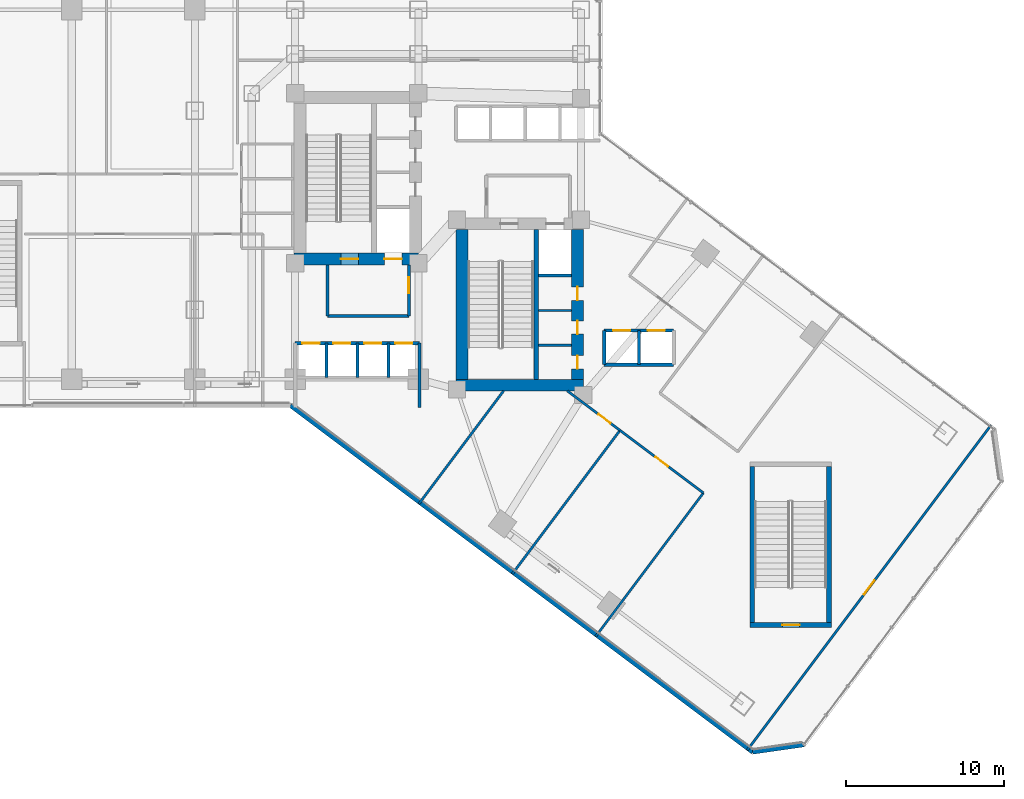
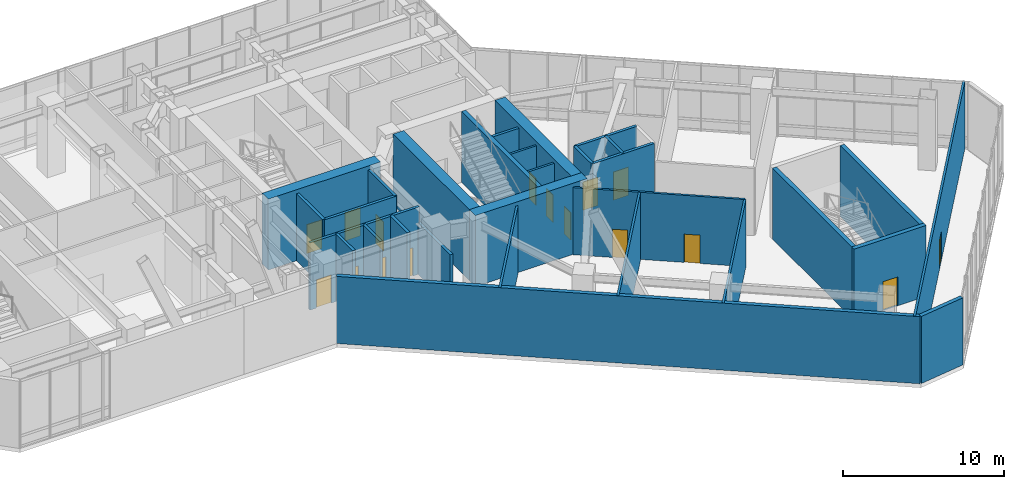
# One storey, part 27 of 35: 31 walls, 16 doors, 16 openings.
"""IFC4 building model written with IfcOpenShell, lengths in metres."""

import ifcopenshell
import ifcopenshell.guid

model = None  # the IFC model being written
_history = None  # IfcOwnerHistory: only IFC2X3 demands one
_inside = {}  # id of a spatial element -> (the spatial element, [elements in it])
_under = {}  # id of a project, library or spatial element -> (it, [spatial elements below it])
_declared = {}  # id of a project -> (the project, [libraries it declares])
_typed = {}  # id of a type object -> (the type object, [elements of that type])
_made_of = {}  # id of a material, layer set ... -> (it, [elements and type objects made of it])


def new_model(schema):
    """Start an empty IFC model of exactly this schema.

    Asked for "IFC4X3", IfcOpenShell would pick the latest addendum, in which some entities
    have other attributes; the version numbers below select the first issue.
    IFC2X3 requires an IfcOwnerHistory on every rooted entity: one is made here for all.
    """
    global model, _history
    if schema == "IFC4X3":
        model = ifcopenshell.file(schema_version=(4, 3, 0, 0))
    else:
        model = ifcopenshell.file(schema=schema)
    _inside.clear()
    _under.clear()
    _declared.clear()
    _typed.clear()
    _made_of.clear()
    _history = None
    if model.schema == "IFC2X3":
        org = make("IfcOrganization", Name="unknown")
        user = make(
            "IfcPersonAndOrganization",
            ThePerson=make("IfcPerson", FamilyName="unknown"),
            TheOrganization=org,
        )
        app = make(
            "IfcApplication",
            ApplicationDeveloper=org,
            Version="unknown",
            ApplicationFullName="unknown",
            ApplicationIdentifier="unknown",
        )
        _history = make(
            "IfcOwnerHistory",
            OwningUser=user,
            OwningApplication=app,
            ChangeAction="ADDED",
            CreationDate=0,
        )
    return model


def make(cls, **values):
    """One entity of the class cls with the attributes given. An attribute that is None is left unset."""
    return model.create_entity(
        cls, **{name: value for name, value in values.items() if value is not None}
    )


def rooted(cls, **values):
    """An entity with a GlobalId (a new one), such as an element, a storey or a relation."""
    return make(cls, GlobalId=ifcopenshell.guid.new(), OwnerHistory=_history, **values)


def si_unit(unit_type, name, prefix=None):
    """IfcSIUnit, for example si_unit("LENGTHUNIT", "METRE", prefix="MILLI")."""
    return make("IfcSIUnit", UnitType=unit_type, Prefix=prefix, Name=name)


def assignment(units):
    """IfcUnitAssignment: the units of a project."""
    return None if units is None else make("IfcUnitAssignment", Units=units)


def point(xyz):
    """IfcCartesianPoint."""
    return None if xyz is None else make("IfcCartesianPoint", Coordinates=xyz)


def direction(xyz):
    """IfcDirection."""
    return None if xyz is None else make("IfcDirection", DirectionRatios=xyz)


def frame(location, z_axis=None, x_axis=None):
    """IfcAxis2Placement3D, a coordinate frame: its origin and axes. An axis left out is left unset."""
    return make(
        "IfcAxis2Placement3D",
        Location=point(location),
        Axis=direction(z_axis),
        RefDirection=direction(x_axis),
    )


def frame_2d(location, x_axis=None):
    """IfcAxis2Placement2D, a coordinate frame in the plane: its origin and x axis."""
    return make(
        "IfcAxis2Placement2D", Location=point(location), RefDirection=direction(x_axis)
    )


def origin():
    """The frame at (0, 0, 0) with its axes left unset."""
    return frame((0.0, 0.0, 0.0))


def place(relative_to, where):
    """IfcLocalPlacement: puts the frame where relative to a parent placement (None: the world)."""
    return make(
        "IfcLocalPlacement", PlacementRelTo=relative_to, RelativePlacement=where
    )


def context(
    kind, dimensions, precision=None, world=None, true_north=None, identifier=None
):
    """IfcGeometricRepresentationContext, for example the 3D "Model" context."""
    return make(
        "IfcGeometricRepresentationContext",
        ContextIdentifier=identifier,
        ContextType=kind,
        CoordinateSpaceDimension=dimensions,
        Precision=precision,
        WorldCoordinateSystem=world,
        TrueNorth=true_north,
    )


def subcontext(parent, identifier, kind, view, scale=None):
    """IfcGeometricRepresentationSubContext, for example "Body" below "Model"."""
    return make(
        "IfcGeometricRepresentationSubContext",
        ContextIdentifier=identifier,
        ContextType=kind,
        ParentContext=parent,
        TargetScale=scale,
        TargetView=view,
    )


def project(units=None, contexts=None):
    """IfcProject with its units and contexts."""
    return rooted(
        "IfcProject",
        Name="project",
        RepresentationContexts=contexts,
        UnitsInContext=assignment(units),
    )


def spatial(cls, under=None, at=None, **own):
    """A site, building, storey or space (cls), placed at a placement, below another one or the project."""
    s = rooted(cls, ObjectPlacement=at, **own)
    if under is not None:
        _under.setdefault(under.id(), (under, []))[1].append(s)
    return s


def profile(cls, at=None, kind="AREA", **sizes):
    """A parametric profile (cls). Its sizes go by their IFC names, for example OverallWidth=200.0."""
    return make(cls, ProfileType=kind, Position=at, **sizes)


def rectangle(**sizes):
    """IfcRectangleProfileDef."""
    return profile("IfcRectangleProfileDef", **sizes)


def extrude(swept, where, along, depth):
    """IfcExtrudedAreaSolid: the profile swept, set in the frame where, extruded along a direction by depth."""
    return make(
        "IfcExtrudedAreaSolid",
        SweptArea=swept,
        Position=where,
        ExtrudedDirection=direction(along),
        Depth=depth,
    )


def shape(context_of_items, identifier, shape_type, items):
    """IfcShapeRepresentation: the items that make up one representation, for example the "Body"."""
    return make(
        "IfcShapeRepresentation",
        ContextOfItems=context_of_items,
        RepresentationIdentifier=identifier,
        RepresentationType=shape_type,
        Items=items,
    )


def material(Name=None, Category=None):
    """IfcMaterial."""
    return make("IfcMaterial", Name=Name, Category=Category)


def layer(
    of_material, thickness, ventilated=None, Name=None, Category=None, Priority=None
):
    """IfcMaterialLayer: one layer of a wall or slab, of a material (None: an air gap)."""
    return make(
        "IfcMaterialLayer",
        Material=of_material,
        LayerThickness=thickness,
        IsVentilated=ventilated,
        Name=Name,
        Category=Category,
        Priority=Priority,
    )


def layer_set(layers, Name=None):
    """IfcMaterialLayerSet."""
    return make("IfcMaterialLayerSet", MaterialLayers=layers, LayerSetName=Name)


def made_of(thing, what):
    """Note that an element or type object is made of a material, layer set ...; save() writes the relation."""
    if what is not None:
        _made_of.setdefault(what.id(), (what, []))[1].append(thing)
    return thing


def type_object(cls, material=None, **own):
    """A type object (cls), such as IfcWallType, which elements share."""
    return made_of(rooted(cls, **own), material)


def element(
    cls,
    number,
    at=None,
    inside=None,
    cuts=None,
    type_object=None,
    material=None,
    context=None,
    identifier="Body",
    shape_type=None,
    held_by="IfcProductDefinitionShape",
    body=None,
    shapes=None,
    **own,
):
    """One element of the class cls, such as IfcWall. Its Tag is "e" and its number.

    at: its placement. inside: the storey or other place that contains it. cuts: it is an
    opening in that element (IfcRelVoidsElement). A single representation is given by context,
    identifier, shape_type and body (its items); several are given by shapes. held_by: the class
    of the entity that holds the representations. save() writes the other relations.
    """
    e = rooted(cls, Tag="e%d" % number, ObjectPlacement=at, **own)
    if body is not None:
        shapes = [shape(context, identifier, shape_type, body)]
    if shapes is not None:
        e.Representation = make(held_by, Representations=shapes)
    if inside is not None:
        _inside.setdefault(inside.id(), (inside, []))[1].append(e)
    if cuts is not None:
        rooted(
            "IfcRelVoidsElement", RelatingBuildingElement=cuts, RelatedOpeningElement=e
        )
    if type_object is not None:
        _typed.setdefault(type_object.id(), (type_object, []))[1].append(e)
    return made_of(e, material)


def fill(opening, filler):
    """IfcRelFillsElement: the door or window that sits in an opening."""
    return rooted(
        "IfcRelFillsElement",
        RelatingOpeningElement=opening,
        RelatedBuildingElement=filler,
    )


def aggregate(whole, parts):
    """IfcRelAggregates: a whole, such as a stair, and the parts it consists of."""
    return rooted("IfcRelAggregates", RelatingObject=whole, RelatedObjects=parts)


def save(model, path):
    """Write the relations noted so far, then the file.

    IfcRelAggregates (storeys below a building ...), IfcRelContainedInSpatialStructure (elements
    in a storey), IfcRelDefinesByType, IfcRelAssociatesMaterial and IfcRelDeclares: one each for
    every whole, place, type object, material and project.
    """
    for whole, parts in _under.values():
        aggregate(whole, parts)
    for where, things in _inside.values():
        rooted(
            "IfcRelContainedInSpatialStructure",
            RelatedElements=things,
            RelatingStructure=where,
        )
    for kind, things in _typed.values():
        rooted("IfcRelDefinesByType", RelatedObjects=things, RelatingType=kind)
    for what, things in _made_of.values():
        rooted("IfcRelAssociatesMaterial", RelatedObjects=things, RelatingMaterial=what)
    for by, libraries in _declared.values():
        rooted("IfcRelDeclares", RelatingContext=by, RelatedDefinitions=libraries)
    model.write(path)


model = new_model("IFC4")

# Units and contexts
model_context = context("Model", 3, precision=1e-05, world=origin(), true_north=direction((0.0, 1.0)))
body_context = subcontext(model_context, "Body", "Model", "MODEL_VIEW")
ifc_project = project(units=[si_unit("LENGTHUNIT", "METRE"), si_unit("AREAUNIT", "SQUARE_METRE"), si_unit("VOLUMEUNIT", "CUBIC_METRE"), si_unit("PLANEANGLEUNIT", "RADIAN"), si_unit("MASSUNIT", "GRAM", prefix="KILO")], contexts=[model_context])

# Site, building, storey
site_placement = place(None, origin())
site = spatial("IfcSite", under=ifc_project, at=site_placement, CompositionType="ELEMENT")
building_placement = place(site_placement, origin())
building = spatial("IfcBuilding", under=site, at=building_placement, Name="Hatsunagi Terrace Concourse", CompositionType="ELEMENT")
storey_placement = place(building_placement, frame((0.0, 0.0, 10.800048828125)))
storey = spatial("IfcBuildingStorey", under=building, at=storey_placement, Name="L03", CompositionType="ELEMENT", Elevation=10.800048828125)

# Wall, openings, doors
ifc_material_1 = material(Name="Concrete Fc60", Category="concrete")
ifc_layer_1 = layer(ifc_material_1, 0.75)
ifc_layer_set_1 = layer_set([ifc_layer_1], Name="CoreShearWall_Fc60_750")
wall_type_1 = type_object("IfcWallType", Name="CoreShearWall_Fc60_750", PredefinedType="SHEAR", material=ifc_layer_set_1)
wall_1_placement = place(storey_placement, frame((25.469970703125, 32.81494140625, 0.0), z_axis=(0.0, 0.0, 1.0), x_axis=(1.0, 0.0, 0.0)))
wall_1 = element("IfcWall", 1, at=wall_1_placement, inside=storey, type_object=wall_type_1, Name="Core A Shear Wall S L03", PredefinedType="SHEAR", context=body_context, shape_type="SweptSolid", body=[
    extrude(rectangle(XDim=8.080078125, YDim=0.75, at=frame_2d((4.0400390625, 0.0))), origin(), (0.0, 0.0, 1.0), 5.39990234375),
])
opening_1_placement = place(wall_1_placement, frame((2.97998046875, 0.0, 0.0)))
opening_1 = element("IfcOpeningElement", 2, at=opening_1_placement, cuts=wall_1, Name="Opening DR-110S", PredefinedType="OPENING", context=body_context, shape_type="SweptSolid", body=[
    extrude(rectangle(XDim=1.10009765625, YDim=2.199951171875, at=frame_2d((0.550048828125, 1.10009765625))), frame((0.0, 0.385009765625, 0.0), z_axis=(0.0, -1.0, 0.0), x_axis=(1.0, 0.0, 0.0)), (0.0, 0.0, 1.0), 0.77001953125),
])
opening_2_placement = place(wall_1_placement, frame((5.72998046875, 0.0, 0.0)))
opening_2 = element("IfcOpeningElement", 3, at=opening_2_placement, cuts=wall_1, Name="Opening LD-01", PredefinedType="OPENING", context=body_context, shape_type="SweptSolid", body=[
    extrude(rectangle(XDim=1.10009765625, YDim=2.14990234375, at=frame_2d((0.550048828125, 1.074951171875))), frame((0.0, 0.385009765625, 0.0), z_axis=(0.0, -1.0, 0.0), x_axis=(1.0, 0.0, 0.0)), (0.0, 0.0, 1.0), 0.77001953125),
])
ifc_material_2 = material(Name="Stainless steel", Category="steel")
door_type_1 = type_object("IfcDoorType", Name="LiftLandingDoor_LD01", OperationType="SLIDING_TO_LEFT", PredefinedType="USERDEFINED", material=ifc_material_2)
door_1_placement = place(opening_2_placement, origin())
door_1 = element("IfcDoor", 4, at=door_1_placement, inside=storey, type_object=door_type_1, Name="Lift landing door FF-01 L03", ObjectType="SLIDING_LANDING_DOOR", OperationType="SLIDING_TO_LEFT", OverallHeight=2.14990234375, OverallWidth=1.10009765625, PredefinedType="USERDEFINED", context=body_context, shape_type="SweptSolid", body=[
    extrude(rectangle(XDim=1.10009765625, YDim=2.14990234375, at=frame_2d((0.550048828125, 1.074951171875))), frame((0.0, 0.02490234375, 0.0), z_axis=(0.0, -1.0, 0.0), x_axis=(1.0, 0.0, 0.0)), (0.0, 0.0, 1.0), 0.050048828125),
])
fill(opening_2, door_1)
ifc_material_3 = material(Name="Painted steel", Category="steel")
door_type_2 = type_object("IfcDoorType", Name="StairFireDoor_EI60_1100", OperationType="NOTDEFINED", PredefinedType="DOOR", material=ifc_material_3)
door_2_placement = place(opening_1_placement, origin())
door_2 = element("IfcDoor", 5, at=door_2_placement, inside=storey, type_object=door_type_2, Name="Stair ST-A Exit Door L03", OperationType="SINGLE_SWING_LEFT", OverallHeight=2.199951171875, OverallWidth=1.10009765625, PredefinedType="DOOR", context=body_context, shape_type="SweptSolid", body=[
    extrude(rectangle(XDim=1.10009765625, YDim=2.199951171875, at=frame_2d((0.550048828125, 1.10009765625))), frame((0.0, 0.02490234375, 0.0), z_axis=(0.0, -1.0, 0.0), x_axis=(1.0, 0.0, 0.0)), (0.0, 0.0, 1.0), 0.050048828125),
])
fill(opening_1, door_2)

# Walls
wall_2_placement = place(storey_placement, frame((35.739990234375, 24.81494140625, 0.0), z_axis=(0.0, 0.0, 1.0), x_axis=(1.0, 0.0, 0.0)))
element("IfcWall", 6, at=wall_2_placement, inside=storey, type_object=wall_type_1, Name="Core B Shear Wall S L03", PredefinedType="SHEAR", context=body_context, shape_type="SweptSolid", body=[
    extrude(rectangle(XDim=8.06005859375, YDim=0.75, at=frame_2d((4.030029296875, 0.0))), origin(), (0.0, 0.0, 1.0), 5.39990234375),
])
wall_3_placement = place(storey_placement, frame((36.114990234375, 25.18994140625, 0.0), z_axis=(0.0, 0.0, 1.0), x_axis=(0.0, 1.0, 0.0)))
element("IfcWall", 7, at=wall_3_placement, inside=storey, type_object=wall_type_1, Name="Core B Shear Wall W L03", PredefinedType="SHEAR", context=body_context, shape_type="SweptSolid", body=[
    extrude(rectangle(XDim=9.47998046875, YDim=0.75, at=frame_2d((4.739990234375, 0.0))), origin(), (0.0, 0.0, 1.0), 5.39990234375),
])

# Wall, openings, doors
wall_4_placement = place(storey_placement, frame((43.425048828125, 25.18994140625, 0.0), z_axis=(0.0, 0.0, 1.0), x_axis=(0.0, 1.0, 0.0)))
wall_4 = element("IfcWall", 8, at=wall_4_placement, inside=storey, type_object=wall_type_1, Name="Core B Shear Wall E L03", PredefinedType="SHEAR", context=body_context, shape_type="SweptSolid", body=[
    extrude(rectangle(XDim=9.47998046875, YDim=0.75, at=frame_2d((4.739990234375, 0.0))), origin(), (0.0, 0.0, 1.0), 5.39990234375),
])
opening_3_placement = place(wall_4_placement, frame((0.659912109375, 0.0, 0.0)))
opening_3 = element("IfcOpeningElement", 9, at=opening_3_placement, cuts=wall_4, Name="Opening DR-085", PredefinedType="OPENING", context=body_context, shape_type="SweptSolid", body=[
    extrude(rectangle(XDim=0.85009765625, YDim=2.080078125, at=frame_2d((0.425048828125, 1.0400390625))), frame((0.0, 0.385009765625, 0.0), z_axis=(0.0, -1.0, 0.0), x_axis=(1.0, 0.0, 0.0)), (0.0, 0.0, 1.0), 0.77001953125),
])
opening_4_placement = place(wall_4_placement, frame((2.860107421875, 0.0, 0.0)))
opening_4 = element("IfcOpeningElement", 10, at=opening_4_placement, cuts=wall_4, Name="Opening DR-085", PredefinedType="OPENING", context=body_context, shape_type="SweptSolid", body=[
    extrude(rectangle(XDim=0.85009765625, YDim=2.080078125, at=frame_2d((0.425048828125, 1.0400390625))), frame((0.0, 0.385009765625, 0.0), z_axis=(0.0, -1.0, 0.0), x_axis=(1.0, 0.0, 0.0)), (0.0, 0.0, 1.0), 0.77001953125),
])
opening_5_placement = place(wall_4_placement, frame((5.010009765625, 0.0, 0.0)))
opening_5 = element("IfcOpeningElement", 11, at=opening_5_placement, cuts=wall_4, Name="Opening DR-085", PredefinedType="OPENING", context=body_context, shape_type="SweptSolid", body=[
    extrude(rectangle(XDim=0.85009765625, YDim=2.080078125, at=frame_2d((0.425048828125, 1.0400390625))), frame((0.0, 0.385009765625, 0.0), z_axis=(0.0, -1.0, 0.0), x_axis=(1.0, 0.0, 0.0)), (0.0, 0.0, 1.0), 0.77001953125),
])
ifc_material_4 = material(Name="Painted steel", Category="steel")
door_type_3 = type_object("IfcDoorType", Name="RiserAccessDoor_EI60_850", OperationType="NOTDEFINED", PredefinedType="DOOR", material=ifc_material_4)
door_3_placement = place(opening_3_placement, origin())
door_3 = element("IfcDoor", 12, at=door_3_placement, inside=storey, type_object=door_type_3, Name="Core B Riser Door L03-1", OperationType="SINGLE_SWING_RIGHT", OverallHeight=2.080078125, OverallWidth=0.85009765625, PredefinedType="DOOR", context=body_context, shape_type="SweptSolid", body=[
    extrude(rectangle(XDim=0.85009765625, YDim=2.080078125, at=frame_2d((0.425048828125, 1.0400390625))), frame((0.0, 0.02490234375, 0.0), z_axis=(0.0, -1.0, 0.0), x_axis=(1.0, 0.0, 0.0)), (0.0, 0.0, 1.0), 0.050048828125),
])
fill(opening_3, door_3)
door_4_placement = place(opening_4_placement, origin())
door_4 = element("IfcDoor", 13, at=door_4_placement, inside=storey, type_object=door_type_3, Name="Core B Riser Door L03-2", OperationType="SINGLE_SWING_RIGHT", OverallHeight=2.080078125, OverallWidth=0.85009765625, PredefinedType="DOOR", context=body_context, shape_type="SweptSolid", body=[
    extrude(rectangle(XDim=0.85009765625, YDim=2.080078125, at=frame_2d((0.425048828125, 1.0400390625))), frame((0.0, 0.02490234375, 0.0), z_axis=(0.0, -1.0, 0.0), x_axis=(1.0, 0.0, 0.0)), (0.0, 0.0, 1.0), 0.050048828125),
])
fill(opening_4, door_4)
door_5_placement = place(opening_5_placement, origin())
door_5 = element("IfcDoor", 14, at=door_5_placement, inside=storey, type_object=door_type_3, Name="Core B Riser Door L03-3", OperationType="SINGLE_SWING_RIGHT", OverallHeight=2.080078125, OverallWidth=0.85009765625, PredefinedType="DOOR", context=body_context, shape_type="SweptSolid", body=[
    extrude(rectangle(XDim=0.85009765625, YDim=2.080078125, at=frame_2d((0.425048828125, 1.0400390625))), frame((0.0, 0.02490234375, 0.0), z_axis=(0.0, -1.0, 0.0), x_axis=(1.0, 0.0, 0.0)), (0.0, 0.0, 1.0), 0.050048828125),
])
fill(opening_5, door_5)

# Wall
ifc_material_5 = material(Name="Concrete Fc48", Category="concrete")
ifc_layer_2 = layer(ifc_material_5, 0.300048828125)
ifc_layer_set_2 = layer_set([ifc_layer_2], Name="CoreStairDivider_Fc48_300")
wall_type_2 = type_object("IfcWallType", Name="CoreStairDivider_Fc48_300", PredefinedType="SHEAR", material=ifc_layer_set_2)
wall_5_placement = place(storey_placement, frame((40.81005859375, 25.18994140625, 0.0), z_axis=(0.0, 0.0, 1.0), x_axis=(0.0, 1.0, 0.0)))
element("IfcWall", 15, at=wall_5_placement, inside=storey, type_object=wall_type_2, Name="Core B Shear Wall D L03", PredefinedType="SHEAR", context=body_context, shape_type="SweptSolid", body=[
    extrude(rectangle(XDim=9.47998046875, YDim=0.300048828125, at=frame_2d((4.739990234375, 0.0))), origin(), (0.0, 0.0, 1.0), 5.39990234375),
])

# Wall, opening, door
wall_6_placement = place(storey_placement, frame((54.340087890625, 9.639892578125, 0.0), z_axis=(0.0, 0.0, 1.0), x_axis=(1.0, 0.0, 0.0)))
wall_6 = element("IfcWall", 16, at=wall_6_placement, inside=storey, type_object=wall_type_2, Name="Podium Stair P2 Shear Wall S L03", PredefinedType="SHEAR", context=body_context, shape_type="SweptSolid", body=[
    extrude(rectangle(XDim=5.169921875, YDim=0.300048828125, at=frame_2d((2.5849609375, 0.0))), origin(), (0.0, 0.0, 1.0), 5.39990234375),
])
opening_6_placement = place(wall_6_placement, frame((2.06005859375, 0.0, 0.0)))
opening_6 = element("IfcOpeningElement", 17, at=opening_6_placement, cuts=wall_6, Name="Opening DR-110S", PredefinedType="OPENING", context=body_context, shape_type="SweptSolid", body=[
    extrude(rectangle(XDim=1.10009765625, YDim=2.199951171875, at=frame_2d((0.550048828125, 1.10009765625))), frame((0.0, 0.159912109375, 0.0), z_axis=(0.0, -1.0, 0.0), x_axis=(1.0, 0.0, 0.0)), (0.0, 0.0, 1.0), 0.320068359375),
])
door_6_placement = place(opening_6_placement, origin())
door_6 = element("IfcDoor", 18, at=door_6_placement, inside=storey, type_object=door_type_2, Name="Stair ST-P2 Exit Door L03", OperationType="SINGLE_SWING_RIGHT", OverallHeight=2.199951171875, OverallWidth=1.10009765625, PredefinedType="DOOR", context=body_context, shape_type="SweptSolid", body=[
    extrude(rectangle(XDim=1.10009765625, YDim=2.199951171875, at=frame_2d((0.550048828125, 1.10009765625))), frame((0.0, 0.02490234375, 0.0), z_axis=(0.0, -1.0, 0.0), x_axis=(1.0, 0.0, 0.0)), (0.0, 0.0, 1.0), 0.050048828125),
])
fill(opening_6, door_6)

# Walls
for number, where, z_axis, x_axis, name in (
    (19, (54.489990234375, 9.7900390625, 0.0), (0.0, 0.0, 1.0), (0.0, 1.0, 0.0), "Podium Stair P2 Shear Wall W L03"),
    (20, (59.360107421875, 9.7900390625, 0.0), (0.0, 0.0, 1.0), (0.0, 1.0, 0.0), "Podium Stair P2 Shear Wall E L03"),
):
    element("IfcWall", number, at=place(storey_placement, frame(where, z_axis=z_axis, x_axis=x_axis)), inside=storey, type_object=wall_type_2, Name=name, PredefinedType="SHEAR", context=body_context, shape_type="SweptSolid", body=[
        extrude(rectangle(XDim=9.8798828125, YDim=0.300048828125, at=frame_2d((4.93994140625, 0.0))), origin(), (0.0, 0.0, 1.0), 5.39990234375),
    ])
ifc_material_6 = material(Name="Acoustic mineral board", Category="gypsum")
ifc_layer_3 = layer(ifc_material_6, 0.14990234375)
ifc_layer_set_3 = layer_set([ifc_layer_3], Name="PartitionWall_EI60_150")
wall_type_3 = type_object("IfcWallType", Name="PartitionWall_EI60_150", PredefinedType="PARTITIONING", material=ifc_layer_set_3)
for number, where, z_axis, x_axis, name in (
    (21, (40.969970703125, 27.35009765625, 0.0), (0.0, 0.0, 1.0), (1.0, 0.0, 0.0), "Interior Partition IW-L03-005"),
    (22, (40.969970703125, 29.550048828125, 0.0), (0.0, 0.0, 1.0), (1.0, 0.0, 0.0), "Interior Partition IW-L03-006"),
):
    element("IfcWall", number, at=place(storey_placement, frame(where, z_axis=z_axis, x_axis=x_axis)), inside=storey, type_object=wall_type_3, Name=name, PredefinedType="PARTITIONING", context=body_context, shape_type="SweptSolid", body=[
        extrude(rectangle(XDim=2.080078125, YDim=0.14990234375, at=frame_2d((1.0400390625, 0.0))), origin(), (0.0, 0.0, 1.0), 5.099853515625),
    ])

# Wall, opening, door
wall_7_placement = place(storey_placement, frame((46.1201171875, 21.9599609375, 0.0), z_axis=(0.0, 0.0, 1.0), x_axis=(0.799991121809, -0.600011837406, 0.0)))
wall_7 = element("IfcWall", 23, at=wall_7_placement, inside=storey, type_object=wall_type_3, Name="Interior Partition IW-L03-055", PredefinedType="PARTITIONING", context=body_context, shape_type="SweptSolid", body=[
    extrude(rectangle(XDim=6.599853515625, YDim=0.14990234375, at=frame_2d((3.2998046875, 0.0))), origin(), (0.0, 0.0, 1.0), 5.099853515625),
])
opening_7_placement = place(wall_7_placement, frame((2.800048828125, 0.0, 0.0)))
opening_7 = element("IfcOpeningElement", 24, at=opening_7_placement, cuts=wall_7, Name="Opening DR-100S", PredefinedType="OPENING", context=body_context, shape_type="SweptSolid", body=[
    extrude(rectangle(XDim=1.0, YDim=2.14990234375, at=frame_2d((0.5, 1.074951171875))), frame((0.0, 0.0849609375, 0.0), z_axis=(0.0, -1.0, 0.0), x_axis=(1.0, 0.0, 0.0)), (0.0, 0.0, 1.0), 0.169921875),
])
ifc_material_7 = material(Name="Hardwood timber", Category="wood")
door_type_4 = type_object("IfcDoorType", Name="SuiteDoor_EI30_1000", OperationType="NOTDEFINED", PredefinedType="DOOR", material=ifc_material_7)
door_7_placement = place(opening_7_placement, origin())
door_7 = element("IfcDoor", 25, at=door_7_placement, inside=storey, type_object=door_type_4, Name="Seminar Room L03-P3SES1 Door", OperationType="SINGLE_SWING_RIGHT", OverallHeight=2.14990234375, OverallWidth=1.0, PredefinedType="DOOR", context=body_context, shape_type="SweptSolid", body=[
    extrude(rectangle(XDim=1.0, YDim=2.14990234375, at=frame_2d((0.5, 1.074951171875))), frame((0.0, 0.02490234375, 0.0), z_axis=(0.0, -1.0, 0.0), x_axis=(1.0, 0.0, 0.0)), (0.0, 0.0, 1.0), 0.050048828125),
])
fill(opening_7, door_7)

# Walls
wall_8_placement = place(storey_placement, frame((39.303955078125, 12.8720703125, 0.0), z_axis=(0.0, 0.0, 1.0), x_axis=(0.600013754301, 0.79998968409, 0.0)))
element("IfcWall", 26, at=wall_8_placement, inside=storey, type_object=wall_type_3, Name="Interior Partition IW-L03-056", PredefinedType="PARTITIONING", context=body_context, shape_type="SweptSolid", body=[
    extrude(rectangle(XDim=11.360107421875, YDim=0.14990234375, at=frame_2d((5.68017578125, 0.0))), origin(), (0.0, 0.0, 1.0), 5.099853515625),
])
wall_9_placement = place(storey_placement, frame((44.583984375, 8.912109375, 0.0), z_axis=(0.0, 0.0, 1.0), x_axis=(0.6, 0.8, 0.0)))
element("IfcWall", 27, at=wall_9_placement, inside=storey, type_object=wall_type_3, Name="Interior Partition IW-L03-057", PredefinedType="PARTITIONING", context=body_context, shape_type="SweptSolid", body=[
    extrude(rectangle(XDim=11.35986328125, YDim=0.14990234375, at=frame_2d((5.679931640625, 0.0))), origin(), (0.0, 0.0, 1.0), 5.099853515625),
])

# Wall, opening, door
wall_10_placement = place(storey_placement, frame((54.18408203125, 1.7119140625, 0.0), z_axis=(0.0, 0.0, 1.0), x_axis=(0.59999392496, 0.800004556244, 0.0)))
wall_10 = element("IfcWall", 28, at=wall_10_placement, inside=storey, type_object=wall_type_3, Name="Interior Partition IW-L03-058", PredefinedType="PARTITIONING", context=body_context, shape_type="SweptSolid", body=[
    extrude(rectangle(XDim=25.719970703125, YDim=0.14990234375, at=frame_2d((12.85986328125, 0.0))), origin(), (0.0, 0.0, 1.0), 5.099853515625),
])
opening_8_placement = place(wall_10_placement, frame((12.31005859375, 0.0, 0.0)))
opening_8 = element("IfcOpeningElement", 29, at=opening_8_placement, cuts=wall_10, Name="Opening DR-110F", PredefinedType="OPENING", context=body_context, shape_type="SweptSolid", body=[
    extrude(rectangle(XDim=1.10009765625, YDim=2.239990234375, at=frame_2d((0.550048828125, 1.1201171875))), frame((0.0, 0.0849609375, 0.0), z_axis=(0.0, -1.0, 0.0), x_axis=(1.0, 0.0, 0.0)), (0.0, 0.0, 1.0), 0.169921875),
])
ifc_material_8 = material(Name="Painted steel", Category="steel")
door_type_5 = type_object("IfcDoorType", Name="FireDoor_EI60_1100", OperationType="NOTDEFINED", PredefinedType="DOOR", material=ifc_material_8)
door_8_placement = place(opening_8_placement, origin())
door_8 = element("IfcDoor", 30, at=door_8_placement, inside=storey, type_object=door_type_5, Name="Archive Storage Room L03-P3TIP Door", OperationType="SINGLE_SWING_RIGHT", OverallHeight=2.239990234375, OverallWidth=1.10009765625, PredefinedType="DOOR", context=body_context, shape_type="SweptSolid", body=[
    extrude(rectangle(XDim=1.10009765625, YDim=2.239990234375, at=frame_2d((0.550048828125, 1.1201171875))), frame((0.0, 0.02490234375, 0.0), z_axis=(0.0, -1.0, 0.0), x_axis=(1.0, 0.0, 0.0)), (0.0, 0.0, 1.0), 0.050048828125),
])
fill(opening_8, door_8)

wall_11_placement = place(storey_placement, frame((42.787109375, 24.4599609375, 0.0), z_axis=(0.0, 0.0, 1.0), x_axis=(0.799971872363, -0.600037501685, 0.0)))
wall_11 = element("IfcWall", 31, at=wall_11_placement, inside=storey, type_object=wall_type_3, Name="Interior Partition IW-L03-061", PredefinedType="PARTITIONING", context=body_context, shape_type="SweptSolid", body=[
    extrude(rectangle(XDim=4.16650390625, YDim=0.14990234375, at=frame_2d((2.083251953125, 0.0))), origin(), (0.0, 0.0, 1.0), 5.099853515625),
])
opening_9_placement = place(wall_11_placement, frame((2.468017578125, 0.0, 0.0)))
opening_9 = element("IfcOpeningElement", 32, at=opening_9_placement, cuts=wall_11, Name="Opening DR-095", PredefinedType="OPENING", context=body_context, shape_type="SweptSolid", body=[
    extrude(rectangle(XDim=0.949951171875, YDim=2.14990234375, at=frame_2d((0.47509765625, 1.074951171875))), frame((0.0, 0.0849609375, 0.0), z_axis=(0.0, -1.0, 0.0), x_axis=(1.0, 0.0, 0.0)), (0.0, 0.0, 1.0), 0.169921875),
])
ifc_material_9 = material(Name="Hardwood timber", Category="wood")
door_type_6 = type_object("IfcDoorType", Name="InteriorSuiteDoor_EI30_950", OperationType="NOTDEFINED", PredefinedType="DOOR", material=ifc_material_9)
door_9_placement = place(opening_9_placement, origin())
door_9 = element("IfcDoor", 33, at=door_9_placement, inside=storey, type_object=door_type_6, Name="Exhibition Lounge L03-PSW3 Door", OperationType="SINGLE_SWING_RIGHT", OverallHeight=2.14990234375, OverallWidth=0.949951171875, PredefinedType="DOOR", context=body_context, shape_type="SweptSolid", body=[
    extrude(rectangle(XDim=0.949951171875, YDim=2.14990234375, at=frame_2d((0.47509765625, 1.074951171875))), frame((0.0, 0.02490234375, 0.0), z_axis=(0.0, -1.0, 0.0), x_axis=(1.0, 0.0, 0.0)), (0.0, 0.0, 1.0), 0.050048828125),
])
fill(opening_9, door_9)

# Walls
wall_12_placement = place(storey_placement, frame((33.384033203125, 17.31201171875, 0.0), z_axis=(0.0, 0.0, 1.0), x_axis=(0.600008743659, 0.799993442181, 0.0)))
element("IfcWall", 34, at=wall_12_placement, inside=storey, type_object=wall_type_3, Name="Interior Partition IW-L03-062", PredefinedType="PARTITIONING", context=body_context, shape_type="SweptSolid", body=[
    extrude(rectangle(XDim=8.93505859375, YDim=0.14990234375, at=frame_2d((4.467529296875, 0.0))), origin(), (0.0, 0.0, 1.0), 5.099853515625),
])
ifc_material_10 = material(Name="Acoustic mineral board", Category="gypsum")
ifc_layer_4 = layer(ifc_material_10, 0.199951171875)
ifc_layer_set_4 = layer_set([ifc_layer_4], Name="ShaftWall_EI120_200")
wall_type_4 = type_object("IfcWallType", Name="ShaftWall_EI120_200", PredefinedType="STANDARD", material=ifc_layer_set_4)
wall_13_placement = place(storey_placement, frame((40.969970703125, 31.760009765625, 0.0), z_axis=(0.0, 0.0, 1.0), x_axis=(1.0, 0.0, 0.0)))
element("IfcWall", 35, at=wall_13_placement, inside=storey, type_object=wall_type_4, Name="Interior Partition IW-L03-004", PredefinedType="STANDARD", context=body_context, shape_type="SweptSolid", body=[
    extrude(rectangle(XDim=2.080078125, YDim=0.199951171875, at=frame_2d((1.0400390625, 0.0))), origin(), (0.0, 0.0, 1.0), 5.099853515625),
])
wall_14_placement = place(storey_placement, frame((27.60009765625, 29.199951171875, 0.0), z_axis=(0.0, 0.0, 1.0), x_axis=(1.0, 0.0, 0.0)))
element("IfcWall", 36, at=wall_14_placement, inside=storey, type_object=wall_type_4, Name="Interior Partition IW-L03-007", PredefinedType="STANDARD", context=body_context, shape_type="SweptSolid", body=[
    extrude(rectangle(XDim=5.14990234375, YDim=0.199951171875, at=frame_2d((2.574951171875, 0.0))), origin(), (0.0, 0.0, 1.0), 5.099853515625),
])
wall_15_placement = place(storey_placement, frame((27.60009765625, 29.199951171875, 0.0), z_axis=(0.0, 0.0, 1.0), x_axis=(0.0, 1.0, 0.0)))
element("IfcWall", 37, at=wall_15_placement, inside=storey, type_object=wall_type_4, Name="Interior Partition IW-L03-008", PredefinedType="STANDARD", context=body_context, shape_type="SweptSolid", body=[
    extrude(rectangle(XDim=3.239990234375, YDim=0.199951171875, at=frame_2d((1.6201171875, 0.0))), origin(), (0.0, 0.0, 1.0), 5.099853515625),
])

# Wall, opening, door
wall_16_placement = place(storey_placement, frame((32.75, 29.199951171875, 0.0), z_axis=(0.0, 0.0, 1.0), x_axis=(0.0, 1.0, 0.0)))
wall_16 = element("IfcWall", 38, at=wall_16_placement, inside=storey, type_object=wall_type_4, Name="Interior Partition IW-L03-009", PredefinedType="STANDARD", context=body_context, shape_type="SweptSolid", body=[
    extrude(rectangle(XDim=3.239990234375, YDim=0.199951171875, at=frame_2d((1.6201171875, 0.0))), origin(), (0.0, 0.0, 1.0), 5.099853515625),
])
opening_10_placement = place(wall_16_placement, frame((1.449951171875, 0.0, 0.0)))
opening_10 = element("IfcOpeningElement", 39, at=opening_10_placement, cuts=wall_16, Name="Opening DR-100F", PredefinedType="OPENING", context=body_context, shape_type="SweptSolid", body=[
    extrude(rectangle(XDim=1.0, YDim=2.199951171875, at=frame_2d((0.5, 1.10009765625))), frame((0.0, 0.10986328125, 0.0), z_axis=(0.0, -1.0, 0.0), x_axis=(1.0, 0.0, 0.0)), (0.0, 0.0, 1.0), 0.219970703125),
])
ifc_material_11 = material(Name="Painted steel", Category="steel")
door_type_7 = type_object("IfcDoorType", Name="FireDoor_EI60_1000", OperationType="NOTDEFINED", PredefinedType="DOOR", material=ifc_material_11)
door_10_placement = place(opening_10_placement, origin())
door_10 = element("IfcDoor", 40, at=door_10_placement, inside=storey, type_object=door_type_7, Name="Firefighting Lobby A Door L03", OperationType="SINGLE_SWING_RIGHT", OverallHeight=2.199951171875, OverallWidth=1.0, PredefinedType="DOOR", context=body_context, shape_type="SweptSolid", body=[
    extrude(rectangle(XDim=1.0, YDim=2.199951171875, at=frame_2d((0.5, 1.10009765625))), frame((0.0, 0.02490234375, 0.0), z_axis=(0.0, -1.0, 0.0), x_axis=(1.0, 0.0, 0.0)), (0.0, 0.0, 1.0), 0.050048828125),
])
fill(opening_10, door_10)

# Walls
wall_17_placement = place(storey_placement, frame((33.429931640625, 23.39990234375, 0.0), z_axis=(0.0, 0.0, 1.0), x_axis=(0.0, 1.0, 0.0)))
element("IfcWall", 41, at=wall_17_placement, inside=storey, type_object=wall_type_4, Name="Interior Partition IW-L03-014", PredefinedType="STANDARD", context=body_context, shape_type="SweptSolid", body=[
    extrude(rectangle(XDim=4.080078125, YDim=0.199951171875, at=frame_2d((2.0400390625, 0.0))), origin(), (0.0, 0.0, 1.0), 3.89501953125),
])
for number, where, z_axis, x_axis, name in (
    (42, (27.530029296875, 25.320068359375, 0.0), (0.0, 0.0, 1.0), (0.0, 1.0, 0.0), "Interior Partition IW-L03-016"),
    (43, (29.489990234375, 25.320068359375, 0.0), (0.0, 0.0, 1.0), (0.0, 1.0, 0.0), "Interior Partition IW-L03-017"),
    (44, (31.449951171875, 25.320068359375, 0.0), (0.0, 0.0, 1.0), (0.0, 1.0, 0.0), "Interior Partition IW-L03-018"),
):
    element("IfcWall", number, at=place(storey_placement, frame(where, z_axis=z_axis, x_axis=x_axis)), inside=storey, type_object=wall_type_4, Name=name, PredefinedType="STANDARD", context=body_context, shape_type="SweptSolid", body=[
        extrude(rectangle(XDim=2.159912109375, YDim=0.199951171875, at=frame_2d((1.080078125, 0.0))), origin(), (0.0, 0.0, 1.0), 5.099853515625),
    ])

# Wall, openings, doors
wall_18_placement = place(storey_placement, frame((25.550048828125, 27.47998046875, 0.0), z_axis=(0.0, 0.0, 1.0), x_axis=(1.0, 0.0, 0.0)))
wall_18 = element("IfcWall", 45, at=wall_18_placement, inside=storey, type_object=wall_type_4, Name="Interior Partition IW-L03-019", PredefinedType="STANDARD", context=body_context, shape_type="SweptSolid", body=[
    extrude(rectangle(XDim=7.8798828125, YDim=0.199951171875, at=frame_2d((3.93994140625, 0.0))), origin(), (0.0, 0.0, 1.0), 5.099853515625),
])
opening_11_placement = place(wall_18_placement, frame((0.4599609375, 0.0, 0.0)))
opening_11 = element("IfcOpeningElement", 46, at=opening_11_placement, cuts=wall_18, Name="Opening LD-03", PredefinedType="OPENING", context=body_context, shape_type="SweptSolid", body=[
    extrude(rectangle(XDim=1.080078125, YDim=2.14990234375, at=frame_2d((0.5400390625, 1.074951171875))), frame((0.0, 0.10986328125, 0.0), z_axis=(0.0, -1.0, 0.0), x_axis=(1.0, 0.0, 0.0)), (0.0, 0.0, 1.0), 0.219970703125),
])
opening_12_placement = place(wall_18_placement, frame((2.419921875, 0.0, 0.0)))
opening_12 = element("IfcOpeningElement", 47, at=opening_12_placement, cuts=wall_18, Name="Opening LD-03", PredefinedType="OPENING", context=body_context, shape_type="SweptSolid", body=[
    extrude(rectangle(XDim=1.080078125, YDim=2.14990234375, at=frame_2d((0.5400390625, 1.074951171875))), frame((0.0, 0.10986328125, 0.0), z_axis=(0.0, -1.0, 0.0), x_axis=(1.0, 0.0, 0.0)), (0.0, 0.0, 1.0), 0.219970703125),
])
opening_13_placement = place(wall_18_placement, frame((4.3798828125, 0.0, 0.0)))
opening_13 = element("IfcOpeningElement", 48, at=opening_13_placement, cuts=wall_18, Name="Opening LD-03", PredefinedType="OPENING", context=body_context, shape_type="SweptSolid", body=[
    extrude(rectangle(XDim=1.080078125, YDim=2.14990234375, at=frame_2d((0.5400390625, 1.074951171875))), frame((0.0, 0.10986328125, 0.0), z_axis=(0.0, -1.0, 0.0), x_axis=(1.0, 0.0, 0.0)), (0.0, 0.0, 1.0), 0.219970703125),
])
opening_14_placement = place(wall_18_placement, frame((6.340087890625, 0.0, 0.0)))
opening_14 = element("IfcOpeningElement", 49, at=opening_14_placement, cuts=wall_18, Name="Opening LD-03", PredefinedType="OPENING", context=body_context, shape_type="SweptSolid", body=[
    extrude(rectangle(XDim=1.080078125, YDim=2.14990234375, at=frame_2d((0.5400390625, 1.074951171875))), frame((0.0, 0.10986328125, 0.0), z_axis=(0.0, -1.0, 0.0), x_axis=(1.0, 0.0, 0.0)), (0.0, 0.0, 1.0), 0.219970703125),
])
ifc_material_12 = material(Name="Stainless steel", Category="steel")
door_type_8 = type_object("IfcDoorType", Name="LiftLandingDoor_LD03", OperationType="SLIDING_TO_LEFT", PredefinedType="USERDEFINED", material=ifc_material_12)
door_11_placement = place(opening_11_placement, origin())
door_11 = element("IfcDoor", 50, at=door_11_placement, inside=storey, type_object=door_type_8, Name="Lift landing door PL-01 L03", ObjectType="SLIDING_LANDING_DOOR", OperationType="SLIDING_TO_LEFT", OverallHeight=2.14990234375, OverallWidth=1.080078125, PredefinedType="USERDEFINED", context=body_context, shape_type="SweptSolid", body=[
    extrude(rectangle(XDim=1.080078125, YDim=2.14990234375, at=frame_2d((0.5400390625, 1.074951171875))), frame((0.0, 0.02490234375, 0.0), z_axis=(0.0, -1.0, 0.0), x_axis=(1.0, 0.0, 0.0)), (0.0, 0.0, 1.0), 0.050048828125),
])
fill(opening_11, door_11)
door_12_placement = place(opening_12_placement, origin())
door_12 = element("IfcDoor", 51, at=door_12_placement, inside=storey, type_object=door_type_8, Name="Lift landing door PL-02 L03", ObjectType="SLIDING_LANDING_DOOR", OperationType="SLIDING_TO_LEFT", OverallHeight=2.14990234375, OverallWidth=1.080078125, PredefinedType="USERDEFINED", context=body_context, shape_type="SweptSolid", body=[
    extrude(rectangle(XDim=1.080078125, YDim=2.14990234375, at=frame_2d((0.5400390625, 1.074951171875))), frame((0.0, 0.02490234375, 0.0), z_axis=(0.0, -1.0, 0.0), x_axis=(1.0, 0.0, 0.0)), (0.0, 0.0, 1.0), 0.050048828125),
])
fill(opening_12, door_12)
door_13_placement = place(opening_13_placement, origin())
door_13 = element("IfcDoor", 52, at=door_13_placement, inside=storey, type_object=door_type_8, Name="Lift landing door PL-03 L03", ObjectType="SLIDING_LANDING_DOOR", OperationType="SLIDING_TO_LEFT", OverallHeight=2.14990234375, OverallWidth=1.080078125, PredefinedType="USERDEFINED", context=body_context, shape_type="SweptSolid", body=[
    extrude(rectangle(XDim=1.080078125, YDim=2.14990234375, at=frame_2d((0.5400390625, 1.074951171875))), frame((0.0, 0.02490234375, 0.0), z_axis=(0.0, -1.0, 0.0), x_axis=(1.0, 0.0, 0.0)), (0.0, 0.0, 1.0), 0.050048828125),
])
fill(opening_13, door_13)
door_14_placement = place(opening_14_placement, origin())
door_14 = element("IfcDoor", 53, at=door_14_placement, inside=storey, type_object=door_type_8, Name="Lift landing door PL-04 L03", ObjectType="SLIDING_LANDING_DOOR", OperationType="SLIDING_TO_LEFT", OverallHeight=2.14990234375, OverallWidth=1.080078125, PredefinedType="USERDEFINED", context=body_context, shape_type="SweptSolid", body=[
    extrude(rectangle(XDim=1.080078125, YDim=2.14990234375, at=frame_2d((0.5400390625, 1.074951171875))), frame((0.0, 0.02490234375, 0.0), z_axis=(0.0, -1.0, 0.0), x_axis=(1.0, 0.0, 0.0)), (0.0, 0.0, 1.0), 0.050048828125),
])
fill(opening_14, door_14)

# Walls
wall_19_placement = place(storey_placement, frame((45.1201171875, 26.1201171875, 0.0), z_axis=(0.0, 0.0, 1.0), x_axis=(1.0, 0.0, 0.0)))
element("IfcWall", 54, at=wall_19_placement, inside=storey, type_object=wall_type_4, Name="Interior Partition IW-L03-026", PredefinedType="STANDARD", context=body_context, shape_type="SweptSolid", body=[
    extrude(rectangle(XDim=4.39990234375, YDim=0.199951171875, at=frame_2d((2.199951171875, 0.0))), origin(), (0.0, 0.0, 1.0), 5.099853515625),
])
for number, where, z_axis, x_axis, name in (
    (55, (45.1201171875, 26.1201171875, 0.0), (0.0, 0.0, 1.0), (0.0, 1.0, 0.0), "Interior Partition IW-L03-027"),
    (56, (47.320068359375, 26.1201171875, 0.0), (0.0, 0.0, 1.0), (0.0, 1.0, 0.0), "Interior Partition IW-L03-029"),
):
    element("IfcWall", number, at=place(storey_placement, frame(where, z_axis=z_axis, x_axis=x_axis)), inside=storey, type_object=wall_type_4, Name=name, PredefinedType="STANDARD", context=body_context, shape_type="SweptSolid", body=[
        extrude(rectangle(XDim=2.159912109375, YDim=0.199951171875, at=frame_2d((1.080078125, 0.0))), origin(), (0.0, 0.0, 1.0), 5.099853515625),
    ])

# Wall, openings, doors
wall_20_placement = place(storey_placement, frame((45.1201171875, 28.280029296875, 0.0), z_axis=(0.0, 0.0, 1.0), x_axis=(1.0, 0.0, 0.0)))
wall_20 = element("IfcWall", 57, at=wall_20_placement, inside=storey, type_object=wall_type_4, Name="Interior Partition IW-L03-030", PredefinedType="STANDARD", context=body_context, shape_type="SweptSolid", body=[
    extrude(rectangle(XDim=4.39990234375, YDim=0.199951171875, at=frame_2d((2.199951171875, 0.0))), origin(), (0.0, 0.0, 1.0), 5.099853515625),
])
opening_15_placement = place(wall_20_placement, frame((0.56005859375, 0.0, 0.0)))
opening_15 = element("IfcOpeningElement", 58, at=opening_15_placement, cuts=wall_20, Name="Opening LD-03", PredefinedType="OPENING", context=body_context, shape_type="SweptSolid", body=[
    extrude(rectangle(XDim=1.080078125, YDim=2.14990234375, at=frame_2d((0.5400390625, 1.074951171875))), frame((0.0, 0.10986328125, 0.0), z_axis=(0.0, -1.0, 0.0), x_axis=(1.0, 0.0, 0.0)), (0.0, 0.0, 1.0), 0.219970703125),
])
opening_16_placement = place(wall_20_placement, frame((2.760009765625, 0.0, 0.0)))
opening_16 = element("IfcOpeningElement", 59, at=opening_16_placement, cuts=wall_20, Name="Opening LD-03", PredefinedType="OPENING", context=body_context, shape_type="SweptSolid", body=[
    extrude(rectangle(XDim=1.080078125, YDim=2.14990234375, at=frame_2d((0.5400390625, 1.074951171875))), frame((0.0, 0.10986328125, 0.0), z_axis=(0.0, -1.0, 0.0), x_axis=(1.0, 0.0, 0.0)), (0.0, 0.0, 1.0), 0.219970703125),
])
door_15_placement = place(opening_15_placement, origin())
door_15 = element("IfcDoor", 60, at=door_15_placement, inside=storey, type_object=door_type_8, Name="Lift landing door PL-09 L03", ObjectType="SLIDING_LANDING_DOOR", OperationType="SLIDING_TO_LEFT", OverallHeight=2.14990234375, OverallWidth=1.080078125, PredefinedType="USERDEFINED", context=body_context, shape_type="SweptSolid", body=[
    extrude(rectangle(XDim=1.080078125, YDim=2.14990234375, at=frame_2d((0.5400390625, 1.074951171875))), frame((0.0, 0.02490234375, 0.0), z_axis=(0.0, -1.0, 0.0), x_axis=(1.0, 0.0, 0.0)), (0.0, 0.0, 1.0), 0.050048828125),
])
fill(opening_15, door_15)
door_16_placement = place(opening_16_placement, origin())
door_16 = element("IfcDoor", 61, at=door_16_placement, inside=storey, type_object=door_type_8, Name="Lift landing door PL-10 L03", ObjectType="SLIDING_LANDING_DOOR", OperationType="SLIDING_TO_LEFT", OverallHeight=2.14990234375, OverallWidth=1.080078125, PredefinedType="USERDEFINED", context=body_context, shape_type="SweptSolid", body=[
    extrude(rectangle(XDim=1.080078125, YDim=2.14990234375, at=frame_2d((0.5400390625, 1.074951171875))), frame((0.0, 0.02490234375, 0.0), z_axis=(0.0, -1.0, 0.0), x_axis=(1.0, 0.0, 0.0)), (0.0, 0.0, 1.0), 0.050048828125),
])
fill(opening_16, door_16)

# Walls
ifc_material_13 = material(Name="Autoclaved Lightweight Concrete and Terracotta Cladding", Category="masonry")
ifc_layer_5 = layer(ifc_material_13, 0.280029296875)
ifc_layer_set_5 = layer_set([ifc_layer_5], Name="TerracottaSpandrelWall_280")
wall_type_5 = type_object("IfcWallType", Name="TerracottaSpandrelWall_280", PredefinedType="STANDARD", material=ifc_layer_set_5)
wall_21_placement = place(storey_placement, frame((57.762939453125, 2.050048828125, 0.0), z_axis=(0.0, 0.0, 1.0), x_axis=(-0.989967361922, -0.141296221922, 0.0)))
element("IfcWall", 62, at=wall_21_placement, inside=storey, type_object=wall_type_5, Name="Exterior Spandrel Wall EW-L03-04", PredefinedType="STANDARD", context=body_context, shape_type="SweptSolid", body=[
    extrude(rectangle(XDim=3.27783203125, YDim=0.280029296875, at=frame_2d((1.638916015625, 0.0))), origin(), (0.0, 0.0, 1.0), 5.099853515625),
])
wall_22_placement = place(storey_placement, frame((54.51806640625, 1.5869140625, 0.0), z_axis=(0.0, 0.0, 1.0), x_axis=(-0.800001601415, 0.599997864774, 0.0)))
element("IfcWall", 63, at=wall_22_placement, inside=storey, type_object=wall_type_5, Name="Exterior Spandrel Wall EW-L03-05", PredefinedType="STANDARD", context=body_context, shape_type="SweptSolid", body=[
    extrude(rectangle(XDim=36.588623046875, YDim=0.280029296875, at=frame_2d((18.29443359375, 0.0))), origin(), (0.0, 0.0, 1.0), 5.099853515625),
])

save(model, "model.ifc")
